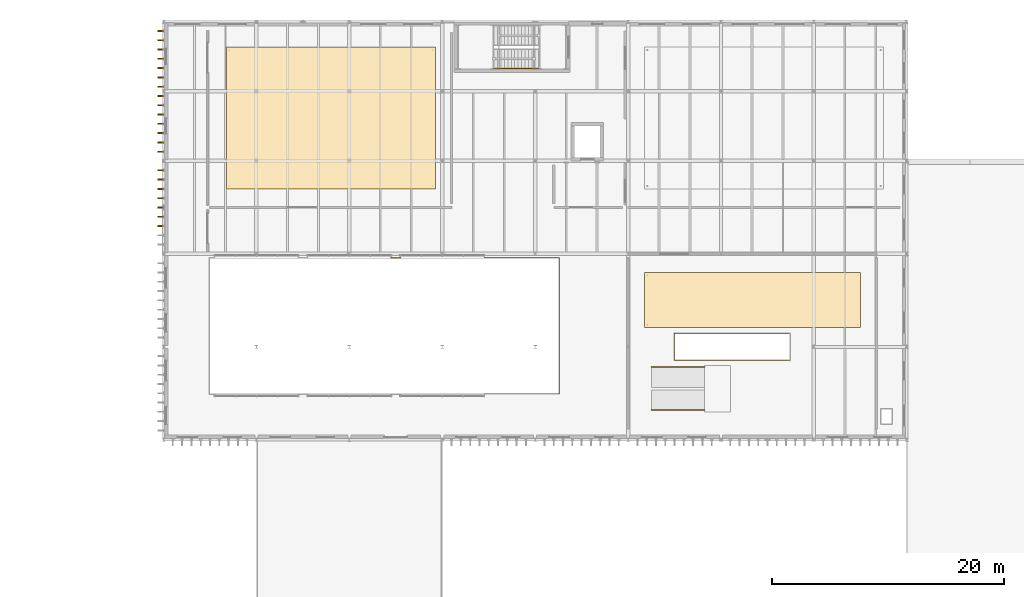
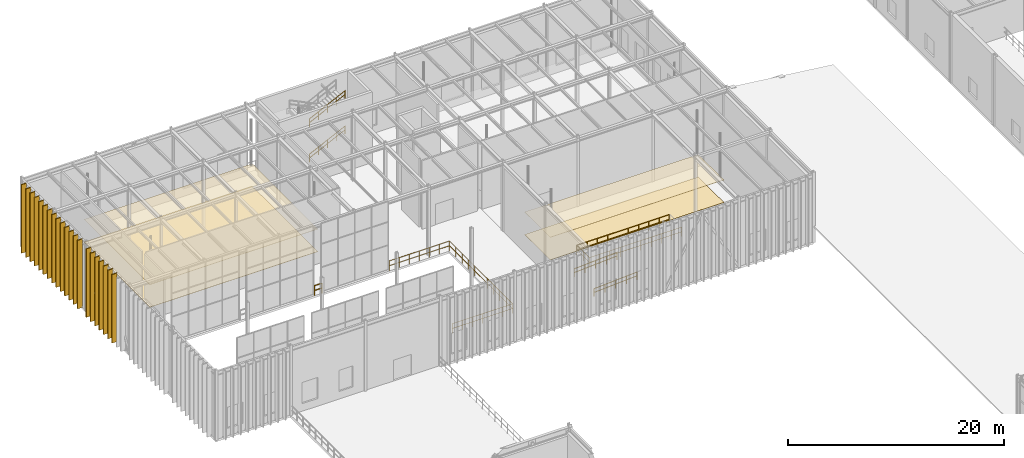
# One storey, part 131 of 138: 25 coverings, 21 shading devices, 7 railings.
"""IFC4 building model written with IfcOpenShell, lengths in metres."""

from ifc_helpers import new_model, si_unit, direction, frame, origin, origin_2d, place, context, subcontext, project, spatial, polyline, rectangle, circle, outline, extrude, material, layer, layer_set, type_object, element, save


model = new_model("IFC4")

# Units and contexts
model_context = context("Model", 3, precision=1e-05, world=origin(), true_north=direction((0.0, 1.0)))
body_context = subcontext(model_context, "Body", "Model", "MODEL_VIEW")
ifc_project = project(units=[si_unit("LENGTHUNIT", "METRE"), si_unit("AREAUNIT", "SQUARE_METRE"), si_unit("VOLUMEUNIT", "CUBIC_METRE"), si_unit("PLANEANGLEUNIT", "RADIAN"), si_unit("MASSUNIT", "GRAM", prefix="KILO")], contexts=[model_context])

# Site, building, storey
site_placement = place(None, origin())
site = spatial("IfcSite", under=ifc_project, at=site_placement, CompositionType="ELEMENT")
building_placement = place(site_placement, origin())
building = spatial("IfcBuilding", under=site, at=building_placement, Name="Sundkrona Museum", CompositionType="ELEMENT")
storey_placement = place(building_placement, frame((0.0, 0.0, 9.60009765625)))
storey = spatial("IfcBuildingStorey", under=building, at=storey_placement, Name="L02", CompositionType="ELEMENT", Elevation=9.60009765625)

# Coverings
ifc_material_1 = material(Name="Perforated Acoustic Gypsum and Mineral Wool Ceiling", Category="other")
ifc_layer_1 = layer(ifc_material_1, 0.0400390625)
ifc_layer_set_1 = layer_set([ifc_layer_1], Name="Perforated Acoustic Gypsum and Mineral Wool Ceiling")
covering_type_1 = type_object("IfcCoveringType", Name="COV-CEIL-AC", PredefinedType="CEILING", material=ifc_layer_set_1)
covering_1_placement = place(storey_placement, frame((0.0, 0.0, 2.5498046875)))
element("IfcCovering", 1, at=covering_1_placement, inside=storey, type_object=covering_type_1, Name="L02 Modernist Sculpture Gallery Acoustic Ceiling", PredefinedType="CEILING", context=body_context, shape_type="SweptSolid", body=[
    extrude(outline(polyline([(21.39990234375, 99.60009765625), (39.39990234375, 99.60009765625), (39.39990234375, 111.800048828125), (21.39990234375, 111.800048828125), (21.39990234375, 99.60009765625)])), origin(), (0.0, 0.0, 1.0), 0.0400390625),
])
covering_2_placement = place(storey_placement, frame((0.0, 0.0, 2.5498046875)))
element("IfcCovering", 2, at=covering_2_placement, inside=storey, type_object=covering_type_1, Name="L02 Temporary Exhibition Hall Acoustic Ceiling", PredefinedType="CEILING", context=body_context, shape_type="SweptSolid", body=[
    extrude(outline(polyline([(57.39990234375, 87.64990234375), (76.0, 87.64990234375), (76.0, 92.39990234375), (57.39990234375, 92.39990234375), (57.39990234375, 87.64990234375)])), origin(), (0.0, 0.0, 1.0), 0.0400390625),
])
ifc_material_2 = material(Name="Frost-Resistant Vitrified Stoneware Mosaic Cladding", Category="masonry")
ifc_layer_2 = layer(ifc_material_2, 0.044921875)
ifc_layer_set_2 = layer_set([ifc_layer_2], Name="Frost-Resistant Vitrified Stoneware Mosaic Cladding")
covering_type_2 = type_object("IfcCoveringType", Name="COV-CLD-MOS", PredefinedType="CLADDING", material=ifc_layer_set_2)
for number, where, z_axis, x_axis, name in (
    (3, (15.7451171875, 96.39990234375, 0.0), (0.0, 0.0, 1.0), (1.0, 0.0, 0.0), "L02 Vitrified Ceramic Brise-Soleil Casing W-197"),
    (4, (15.7451171875, 97.199951171875, 0.0), (0.0, 0.0, 1.0), (1.0, 0.0, 0.0), "L02 Vitrified Ceramic Brise-Soleil Casing W-198"),
    (5, (15.7451171875, 98.0, 0.0), (0.0, 0.0, 1.0), (1.0, 0.0, 0.0), "L02 Vitrified Ceramic Brise-Soleil Casing W-199"),
    (6, (15.7451171875, 98.800048828125, 0.0), (0.0, 0.0, 1.0), (1.0, 0.0, 0.0), "L02 Vitrified Ceramic Brise-Soleil Casing W-200"),
    (7, (15.7451171875, 99.60009765625, 0.0), (0.0, 0.0, 1.0), (1.0, 0.0, 0.0), "L02 Vitrified Ceramic Brise-Soleil Casing W-201"),
    (8, (15.7451171875, 100.39990234375, 0.0), (0.0, 0.0, 1.0), (1.0, 0.0, 0.0), "L02 Vitrified Ceramic Brise-Soleil Casing W-202"),
    (9, (15.7451171875, 101.199951171875, 0.0), (0.0, 0.0, 1.0), (1.0, 0.0, 0.0), "L02 Vitrified Ceramic Brise-Soleil Casing W-203"),
    (10, (15.7451171875, 102.800048828125, 0.0), (0.0, 0.0, 1.0), (1.0, 0.0, 0.0), "L02 Vitrified Ceramic Brise-Soleil Casing W-204"),
    (11, (15.7451171875, 103.60009765625, 0.0), (0.0, 0.0, 1.0), (1.0, 0.0, 0.0), "L02 Vitrified Ceramic Brise-Soleil Casing W-205"),
    (12, (15.7451171875, 104.39990234375, 0.0), (0.0, 0.0, 1.0), (1.0, 0.0, 0.0), "L02 Vitrified Ceramic Brise-Soleil Casing W-206"),
    (13, (15.7451171875, 105.199951171875, 0.0), (0.0, 0.0, 1.0), (1.0, 0.0, 0.0), "L02 Vitrified Ceramic Brise-Soleil Casing W-207"),
    (14, (15.7451171875, 106.0, 0.0), (0.0, 0.0, 1.0), (1.0, 0.0, 0.0), "L02 Vitrified Ceramic Brise-Soleil Casing W-208"),
    (15, (15.7451171875, 106.800048828125, 0.0), (0.0, 0.0, 1.0), (1.0, 0.0, 0.0), "L02 Vitrified Ceramic Brise-Soleil Casing W-209"),
    (16, (15.7451171875, 107.60009765625, 0.0), (0.0, 0.0, 1.0), (1.0, 0.0, 0.0), "L02 Vitrified Ceramic Brise-Soleil Casing W-210"),
    (17, (15.7451171875, 108.39990234375, 0.0), (0.0, 0.0, 1.0), (1.0, 0.0, 0.0), "L02 Vitrified Ceramic Brise-Soleil Casing W-211"),
    (18, (15.7451171875, 109.199951171875, 0.0), (0.0, 0.0, 1.0), (1.0, 0.0, 0.0), "L02 Vitrified Ceramic Brise-Soleil Casing W-212"),
    (19, (15.7451171875, 110.0, 0.0), (0.0, 0.0, 1.0), (1.0, 0.0, 0.0), "L02 Vitrified Ceramic Brise-Soleil Casing W-213"),
    (20, (15.7451171875, 110.800048828125, 0.0), (0.0, 0.0, 1.0), (1.0, 0.0, 0.0), "L02 Vitrified Ceramic Brise-Soleil Casing W-214"),
    (21, (15.7451171875, 111.60009765625, 0.0), (0.0, 0.0, 1.0), (1.0, 0.0, 0.0), "L02 Vitrified Ceramic Brise-Soleil Casing W-215"),
    (22, (15.7451171875, 112.39990234375, 0.0), (0.0, 0.0, 1.0), (1.0, 0.0, 0.0), "L02 Vitrified Ceramic Brise-Soleil Casing W-216"),
    (23, (15.7451171875, 113.199951171875, 0.0), (0.0, 0.0, 1.0), (1.0, 0.0, 0.0), "L02 Vitrified Ceramic Brise-Soleil Casing W-217"),
):
    element("IfcCovering", number, at=place(storey_placement, frame(where, z_axis=z_axis, x_axis=x_axis)), inside=storey, type_object=covering_type_2, Name=name, PredefinedType="CLADDING", context=body_context, shape_type="SweptSolid", body=[
        extrude(rectangle(XDim=0.530029296875, YDim=0.110107421875, at=origin_2d()), origin(), (0.0, 0.0, 1.0), 7.760009765625),
    ])
ifc_material_3 = material(Name="Polished Scanian Limestone Terrazzo Flooring", Category="masonry")
ifc_layer_3 = layer(ifc_material_3, 0.034912109375)
ifc_layer_set_3 = layer_set([ifc_layer_3], Name="Polished Scanian Limestone Terrazzo Flooring")
covering_type_3 = type_object("IfcCoveringType", Name="COV-FLR-TZ", PredefinedType="FLOORING", material=ifc_layer_set_3)
covering_3_placement = place(storey_placement, origin())
element("IfcCovering", 24, at=covering_3_placement, inside=storey, type_object=covering_type_3, Name="L02 Modernist Sculpture Gallery Terrazzo Flooring", PredefinedType="FLOORING", context=body_context, shape_type="SweptSolid", body=[
    extrude(outline(polyline([(21.39990234375, 99.60009765625), (39.39990234375, 99.60009765625), (39.39990234375, 111.800048828125), (21.39990234375, 111.800048828125), (21.39990234375, 99.60009765625)])), origin(), (0.0, 0.0, 1.0), 0.034912109375),
])
covering_4_placement = place(storey_placement, origin())
element("IfcCovering", 25, at=covering_4_placement, inside=storey, type_object=covering_type_3, Name="L02 Temporary Exhibition Hall Terrazzo Flooring", PredefinedType="FLOORING", context=body_context, shape_type="SweptSolid", body=[
    extrude(outline(polyline([(57.39990234375, 87.64990234375), (76.0, 87.64990234375), (76.0, 92.39990234375), (57.39990234375, 92.39990234375), (57.39990234375, 87.64990234375)])), origin(), (0.0, 0.0, 1.0), 0.034912109375),
])

# Shading devices
ifc_material_4 = material(Name="Vitrified Stoneware Ceramic on Galvanised Steel Core", Category="masonry")
ifc_layer_4 = layer(ifc_material_4, 0.080078125)
ifc_layer_set_4 = layer_set([ifc_layer_4], Name="Vitrified Stoneware Ceramic on Galvanised Steel Core")
shading_device_type = type_object("IfcShadingDeviceType", Name="FIN-CER-520", PredefinedType="USERDEFINED", material=ifc_layer_set_4)
for number, where, z_axis, x_axis, name in (
    (26, (15.739990234375, 96.39990234375, 0.0), (0.0, 0.0, 1.0), (1.0, 0.0, 0.0), "L02 Ceramic Brise-Soleil Fin W-197"),
    (27, (15.739990234375, 97.199951171875, 0.0), (0.0, 0.0, 1.0), (1.0, 0.0, 0.0), "L02 Ceramic Brise-Soleil Fin W-198"),
    (28, (15.739990234375, 98.0, 0.0), (0.0, 0.0, 1.0), (1.0, 0.0, 0.0), "L02 Ceramic Brise-Soleil Fin W-199"),
    (29, (15.739990234375, 98.800048828125, 0.0), (0.0, 0.0, 1.0), (1.0, 0.0, 0.0), "L02 Ceramic Brise-Soleil Fin W-200"),
    (30, (15.739990234375, 99.60009765625, 0.0), (0.0, 0.0, 1.0), (1.0, 0.0, 0.0), "L02 Ceramic Brise-Soleil Fin W-201"),
    (31, (15.739990234375, 100.39990234375, 0.0), (0.0, 0.0, 1.0), (1.0, 0.0, 0.0), "L02 Ceramic Brise-Soleil Fin W-202"),
    (32, (15.739990234375, 101.199951171875, 0.0), (0.0, 0.0, 1.0), (1.0, 0.0, 0.0), "L02 Ceramic Brise-Soleil Fin W-203"),
    (33, (15.739990234375, 102.800048828125, 0.0), (0.0, 0.0, 1.0), (1.0, 0.0, 0.0), "L02 Ceramic Brise-Soleil Fin W-204"),
    (34, (15.739990234375, 103.60009765625, 0.0), (0.0, 0.0, 1.0), (1.0, 0.0, 0.0), "L02 Ceramic Brise-Soleil Fin W-205"),
    (35, (15.739990234375, 104.39990234375, 0.0), (0.0, 0.0, 1.0), (1.0, 0.0, 0.0), "L02 Ceramic Brise-Soleil Fin W-206"),
    (36, (15.739990234375, 105.199951171875, 0.0), (0.0, 0.0, 1.0), (1.0, 0.0, 0.0), "L02 Ceramic Brise-Soleil Fin W-207"),
    (37, (15.739990234375, 106.0, 0.0), (0.0, 0.0, 1.0), (1.0, 0.0, 0.0), "L02 Ceramic Brise-Soleil Fin W-208"),
    (38, (15.739990234375, 106.800048828125, 0.0), (0.0, 0.0, 1.0), (1.0, 0.0, 0.0), "L02 Ceramic Brise-Soleil Fin W-209"),
    (39, (15.739990234375, 107.60009765625, 0.0), (0.0, 0.0, 1.0), (1.0, 0.0, 0.0), "L02 Ceramic Brise-Soleil Fin W-210"),
    (40, (15.739990234375, 108.39990234375, 0.0), (0.0, 0.0, 1.0), (1.0, 0.0, 0.0), "L02 Ceramic Brise-Soleil Fin W-211"),
    (41, (15.739990234375, 109.199951171875, 0.0), (0.0, 0.0, 1.0), (1.0, 0.0, 0.0), "L02 Ceramic Brise-Soleil Fin W-212"),
    (42, (15.739990234375, 110.0, 0.0), (0.0, 0.0, 1.0), (1.0, 0.0, 0.0), "L02 Ceramic Brise-Soleil Fin W-213"),
    (43, (15.739990234375, 110.800048828125, 0.0), (0.0, 0.0, 1.0), (1.0, 0.0, 0.0), "L02 Ceramic Brise-Soleil Fin W-214"),
    (44, (15.739990234375, 111.60009765625, 0.0), (0.0, 0.0, 1.0), (1.0, 0.0, 0.0), "L02 Ceramic Brise-Soleil Fin W-215"),
    (45, (15.739990234375, 112.39990234375, 0.0), (0.0, 0.0, 1.0), (1.0, 0.0, 0.0), "L02 Ceramic Brise-Soleil Fin W-216"),
    (46, (15.739990234375, 113.199951171875, 0.0), (0.0, 0.0, 1.0), (1.0, 0.0, 0.0), "L02 Ceramic Brise-Soleil Fin W-217"),
):
    element("IfcShadingDevice", number, at=place(storey_placement, frame(where, z_axis=z_axis, x_axis=x_axis)), inside=storey, type_object=shading_device_type, Name=name, ObjectType="SOLAR FIN", PredefinedType="USERDEFINED", context=body_context, shape_type="SweptSolid", body=[
        extrude(rectangle(XDim=0.52001953125, YDim=0.080078125, at=origin_2d()), origin(), (0.0, 0.0, 1.0), 7.760009765625),
    ])

# Railings
ifc_material_5 = material(Name="Painted Steel S355J2 and Laminated Glass Balustrade", Category="steel")
railing_type_1 = type_object("IfcRailingType", Name="RL-GUARD-1100", PredefinedType="BALUSTRADE", material=ifc_material_5)
railing_1_placement = place(storey_placement, frame((69.8798828125, 84.840087890625, 0.0)))
element("IfcRailing", 47, at=railing_1_placement, inside=storey, type_object=railing_type_1, Name="FS-6 Arrival Floor Well Balustrade", PredefinedType="BALUSTRADE", context=body_context, shape_type="SweptSolid", body=[
    extrude(circle(Radius=0.02392578125, at=origin_2d()), frame((0.0, 0.0, 1.09619140625), z_axis=(-1.0, 0.0, 0.0), x_axis=(0.0, -1.0, 0.0)), (0.0, 0.0, 1.0), 9.919921875),
    extrude(circle(Radius=0.02392578125, at=origin_2d()), frame((0.0, 0.0, 0.56005859375), z_axis=(-1.0, 0.0, 0.0), x_axis=(0.0, -1.0, 0.0)), (0.0, 0.0, 1.0), 9.919921875),
    extrude(circle(Radius=0.02392578125, at=origin_2d()), frame((-9.919921875, 0.0, 1.09619140625), z_axis=(0.0, 1.0, 0.0), x_axis=(-1.0, 0.0, 0.0)), (0.0, 0.0, 1.0), 2.31982421875),
    extrude(circle(Radius=0.02392578125, at=origin_2d()), frame((-9.919921875, 0.0, 0.56005859375), z_axis=(0.0, 1.0, 0.0), x_axis=(-1.0, 0.0, 0.0)), (0.0, 0.0, 1.0), 2.31982421875),
    extrude(circle(Radius=0.02392578125, at=origin_2d()), frame((-9.919921875, 2.31982421875, 1.09619140625), z_axis=(1.0, 0.0, 0.0), x_axis=(0.0, 1.0, 0.0)), (0.0, 0.0, 1.0), 9.919921875),
    extrude(circle(Radius=0.02392578125, at=origin_2d()), frame((-9.919921875, 2.31982421875, 0.56005859375), z_axis=(1.0, 0.0, 0.0), x_axis=(0.0, 1.0, 0.0)), (0.0, 0.0, 1.0), 9.919921875),
    extrude(circle(Radius=0.02099609375, at=origin_2d()), origin(), (0.0, 0.0, 1.0), 1.072021484375),
    extrude(circle(Radius=0.02099609375, at=origin_2d()), frame((-1.102294921875, 0.0, 0.0)), (0.0, 0.0, 1.0), 1.072021484375),
    extrude(circle(Radius=0.02099609375, at=origin_2d()), frame((-2.204345703125, 0.0, 0.0)), (0.0, 0.0, 1.0), 1.072021484375),
    extrude(circle(Radius=0.02099609375, at=origin_2d()), frame((-3.306640625, 0.0, 0.0)), (0.0, 0.0, 1.0), 1.072021484375),
    extrude(circle(Radius=0.02099609375, at=origin_2d()), frame((-4.408935546875, 0.0, 0.0)), (0.0, 0.0, 1.0), 1.072021484375),
    extrude(circle(Radius=0.02099609375, at=origin_2d()), frame((-5.510986328125, 0.0, 0.0)), (0.0, 0.0, 1.0), 1.072021484375),
    extrude(circle(Radius=0.02099609375, at=origin_2d()), frame((-6.61328125, 0.0, 0.0)), (0.0, 0.0, 1.0), 1.072021484375),
    extrude(circle(Radius=0.02099609375, at=origin_2d()), frame((-7.715576171875, 0.0, 0.0)), (0.0, 0.0, 1.0), 1.072021484375),
    extrude(circle(Radius=0.02099609375, at=origin_2d()), frame((-8.817626953125, 0.0, 0.0)), (0.0, 0.0, 1.0), 1.072021484375),
    extrude(circle(Radius=0.02099609375, at=origin_2d()), frame((-9.919921875, 0.0, 0.0)), (0.0, 0.0, 1.0), 1.072021484375),
    extrude(circle(Radius=0.02099609375, at=origin_2d()), frame((-9.919921875, 1.159912109375, 0.0)), (0.0, 0.0, 1.0), 1.072021484375),
    extrude(circle(Radius=0.02099609375, at=origin_2d()), frame((-9.919921875, 2.31982421875, 0.0)), (0.0, 0.0, 1.0), 1.072021484375),
    extrude(circle(Radius=0.02099609375, at=origin_2d()), frame((-8.817626953125, 2.31982421875, 0.0)), (0.0, 0.0, 1.0), 1.072021484375),
    extrude(circle(Radius=0.02099609375, at=origin_2d()), frame((-7.715576171875, 2.31982421875, 0.0)), (0.0, 0.0, 1.0), 1.072021484375),
    extrude(circle(Radius=0.02099609375, at=origin_2d()), frame((-6.61328125, 2.31982421875, 0.0)), (0.0, 0.0, 1.0), 1.072021484375),
    extrude(circle(Radius=0.02099609375, at=origin_2d()), frame((-5.510986328125, 2.31982421875, 0.0)), (0.0, 0.0, 1.0), 1.072021484375),
    extrude(circle(Radius=0.02099609375, at=origin_2d()), frame((-4.408935546875, 2.31982421875, 0.0)), (0.0, 0.0, 1.0), 1.072021484375),
    extrude(circle(Radius=0.02099609375, at=origin_2d()), frame((-3.306640625, 2.31982421875, 0.0)), (0.0, 0.0, 1.0), 1.072021484375),
    extrude(circle(Radius=0.02099609375, at=origin_2d()), frame((-2.204345703125, 2.31982421875, 0.0)), (0.0, 0.0, 1.0), 1.072021484375),
    extrude(circle(Radius=0.02099609375, at=origin_2d()), frame((-1.102294921875, 2.31982421875, 0.0)), (0.0, 0.0, 1.0), 1.072021484375),
    extrude(circle(Radius=0.02099609375, at=origin_2d()), frame((0.0, 2.31982421875, 0.0)), (0.0, 0.0, 1.0), 1.072021484375),
])
railing_2_placement = place(storey_placement, frame((36.39990234375, 93.659912109375, 0.0)))
element("IfcRailing", 48, at=railing_2_placement, inside=storey, type_object=railing_type_1, Name="L02 Edge Protection Balustrade 012", PredefinedType="BALUSTRADE", context=body_context, shape_type="SweptSolid", body=[
    extrude(circle(Radius=0.02392578125, at=origin_2d()), frame((0.0, 0.0, 1.09619140625), z_axis=(-1.0, 0.0, 0.0), x_axis=(0.0, -1.0, 0.0)), (0.0, 0.0, 1.0), 0.7998046875),
    extrude(circle(Radius=0.02392578125, at=origin_2d()), frame((0.0, 0.0, 0.56005859375), z_axis=(-1.0, 0.0, 0.0), x_axis=(0.0, -1.0, 0.0)), (0.0, 0.0, 1.0), 0.7998046875),
    extrude(circle(Radius=0.02099609375, at=origin_2d()), origin(), (0.0, 0.0, 1.0), 1.072021484375),
    extrude(circle(Radius=0.02099609375, at=origin_2d()), frame((-0.7998046875, 0.0, 0.0)), (0.0, 0.0, 1.0), 1.072021484375),
])
railing_3_placement = place(storey_placement, frame((43.60009765625, 81.93994140625, 0.0)))
element("IfcRailing", 49, at=railing_3_placement, inside=storey, type_object=railing_type_1, Name="L02 Edge Protection Balustrade 015", PredefinedType="BALUSTRADE", context=body_context, shape_type="SweptSolid", body=[
    extrude(circle(Radius=0.02392578125, at=origin_2d()), frame((0.0, 0.0, 1.09619140625), z_axis=(1.0, 0.0, 0.0), x_axis=(0.0, 1.0, 0.0)), (0.0, 0.0, 1.0), 6.4599609375),
    extrude(circle(Radius=0.02392578125, at=origin_2d()), frame((0.0, 0.0, 0.56005859375), z_axis=(1.0, 0.0, 0.0), x_axis=(0.0, 1.0, 0.0)), (0.0, 0.0, 1.0), 6.4599609375),
    extrude(circle(Radius=0.02392578125, at=origin_2d()), frame((6.4599609375, 0.0, 1.09619140625), z_axis=(0.0, 1.0, 0.0), x_axis=(-1.0, 0.0, 0.0)), (0.0, 0.0, 1.0), 11.719970703125),
    extrude(circle(Radius=0.02392578125, at=origin_2d()), frame((6.4599609375, 0.0, 0.56005859375), z_axis=(0.0, 1.0, 0.0), x_axis=(-1.0, 0.0, 0.0)), (0.0, 0.0, 1.0), 11.719970703125),
    extrude(circle(Radius=0.02392578125, at=origin_2d()), frame((6.4599609375, 11.719970703125, 1.09619140625), z_axis=(-1.0, 0.0, 0.0), x_axis=(0.0, -1.0, 0.0)), (0.0, 0.0, 1.0), 6.4599609375),
    extrude(circle(Radius=0.02392578125, at=origin_2d()), frame((6.4599609375, 11.719970703125, 0.56005859375), z_axis=(-1.0, 0.0, 0.0), x_axis=(0.0, -1.0, 0.0)), (0.0, 0.0, 1.0), 6.4599609375),
    extrude(circle(Radius=0.02099609375, at=origin_2d()), origin(), (0.0, 0.0, 1.0), 1.072021484375),
    extrude(circle(Radius=0.02099609375, at=origin_2d()), frame((1.07666015625, 0.0, 0.0)), (0.0, 0.0, 1.0), 1.072021484375),
    extrude(circle(Radius=0.02099609375, at=origin_2d()), frame((2.1533203125, 0.0, 0.0)), (0.0, 0.0, 1.0), 1.072021484375),
    extrude(circle(Radius=0.02099609375, at=origin_2d()), frame((3.22998046875, 0.0, 0.0)), (0.0, 0.0, 1.0), 1.072021484375),
    extrude(circle(Radius=0.02099609375, at=origin_2d()), frame((4.306640625, 0.0, 0.0)), (0.0, 0.0, 1.0), 1.072021484375),
    extrude(circle(Radius=0.02099609375, at=origin_2d()), frame((5.38330078125, 0.0, 0.0)), (0.0, 0.0, 1.0), 1.072021484375),
    extrude(circle(Radius=0.02099609375, at=origin_2d()), frame((6.4599609375, 0.0, 0.0)), (0.0, 0.0, 1.0), 1.072021484375),
    extrude(circle(Radius=0.02099609375, at=origin_2d()), frame((6.4599609375, 1.171875, 0.0)), (0.0, 0.0, 1.0), 1.072021484375),
    extrude(circle(Radius=0.02099609375, at=origin_2d()), frame((6.4599609375, 2.343994140625, 0.0)), (0.0, 0.0, 1.0), 1.072021484375),
    extrude(circle(Radius=0.02099609375, at=origin_2d()), frame((6.4599609375, 3.51611328125, 0.0)), (0.0, 0.0, 1.0), 1.072021484375),
    extrude(circle(Radius=0.02099609375, at=origin_2d()), frame((6.4599609375, 4.68798828125, 0.0)), (0.0, 0.0, 1.0), 1.072021484375),
    extrude(circle(Radius=0.02099609375, at=origin_2d()), frame((6.4599609375, 5.85986328125, 0.0)), (0.0, 0.0, 1.0), 1.072021484375),
    extrude(circle(Radius=0.02099609375, at=origin_2d()), frame((6.4599609375, 7.031982421875, 0.0)), (0.0, 0.0, 1.0), 1.072021484375),
    extrude(circle(Radius=0.02099609375, at=origin_2d()), frame((6.4599609375, 8.2041015625, 0.0)), (0.0, 0.0, 1.0), 1.072021484375),
    extrude(circle(Radius=0.02099609375, at=origin_2d()), frame((6.4599609375, 9.3759765625, 0.0)), (0.0, 0.0, 1.0), 1.072021484375),
    extrude(circle(Radius=0.02099609375, at=origin_2d()), frame((6.4599609375, 10.5478515625, 0.0)), (0.0, 0.0, 1.0), 1.072021484375),
    extrude(circle(Radius=0.02099609375, at=origin_2d()), frame((6.4599609375, 11.719970703125, 0.0)), (0.0, 0.0, 1.0), 1.072021484375),
    extrude(circle(Radius=0.02099609375, at=origin_2d()), frame((5.38330078125, 11.719970703125, 0.0)), (0.0, 0.0, 1.0), 1.072021484375),
    extrude(circle(Radius=0.02099609375, at=origin_2d()), frame((4.306640625, 11.719970703125, 0.0)), (0.0, 0.0, 1.0), 1.072021484375),
    extrude(circle(Radius=0.02099609375, at=origin_2d()), frame((3.22998046875, 11.719970703125, 0.0)), (0.0, 0.0, 1.0), 1.072021484375),
    extrude(circle(Radius=0.02099609375, at=origin_2d()), frame((2.1533203125, 11.719970703125, 0.0)), (0.0, 0.0, 1.0), 1.072021484375),
    extrude(circle(Radius=0.02099609375, at=origin_2d()), frame((1.07666015625, 11.719970703125, 0.0)), (0.0, 0.0, 1.0), 1.072021484375),
    extrude(circle(Radius=0.02099609375, at=origin_2d()), frame((0.0, 11.719970703125, 0.0)), (0.0, 0.0, 1.0), 1.072021484375),
])
ifc_material_6 = material(Name="Brushed Bronze-Clad Steel Handrail", Category="steel")
railing_type_2 = type_object("IfcRailingType", Name="RL-HAND-900", PredefinedType="HANDRAIL", material=ifc_material_6)
for number, where, name in (
    (50, (44.465087890625, 109.949951171875, 2.142822265625), "L02 ST-3 stair handrail 2"),
    (51, (44.465087890625, 109.949951171875, 6.142822265625), "L02 ST-3 stair handrail 4"),
):
    element("IfcRailing", number, at=place(storey_placement, frame(where)), inside=storey, type_object=railing_type_2, Name=name, PredefinedType="HANDRAIL", context=body_context, shape_type="SweptSolid", body=[
        extrude(circle(Radius=0.02392578125, at=origin_2d()), frame((0.0, 0.0, 0.8759765625), z_axis=(0.900016444443, 0.0, 0.435855939195), x_axis=(0.0, 1.0, 0.0)), (0.0, 0.0, 1.0), 4.260986328125),
        extrude(circle(Radius=0.02392578125, at=origin_2d()), frame((0.0, 0.0, 0.449951171875), z_axis=(0.900016444443, 0.0, 0.435855939195), x_axis=(0.0, 1.0, 0.0)), (0.0, 0.0, 1.0), 4.260986328125),
        extrude(circle(Radius=0.02099609375, at=origin_2d()), origin(), (0.0, 0.0, 1.0), 0.851806640625),
        extrude(circle(Radius=0.02099609375, at=origin_2d()), frame((0.958740234375, 0.0, 0.46435546875)), (0.0, 0.0, 1.0), 0.851806640625),
        extrude(circle(Radius=0.02099609375, at=origin_2d()), frame((1.91748046875, 0.0, 0.9287109375)), (0.0, 0.0, 1.0), 0.851806640625),
        extrude(circle(Radius=0.02099609375, at=origin_2d()), frame((2.876220703125, 0.0, 1.392822265625)), (0.0, 0.0, 1.0), 0.851806640625),
        extrude(circle(Radius=0.02099609375, at=origin_2d()), frame((3.8349609375, 0.0, 1.857177734375)), (0.0, 0.0, 1.0), 0.851806640625),
    ])
railing_4_placement = place(storey_placement, frame((58.0, 80.550048828125, 0.0)))
element("IfcRailing", 52, at=railing_4_placement, inside=storey, type_object=railing_type_2, Name="RMP-05 Handrail South", PredefinedType="HANDRAIL", context=body_context, shape_type="SweptSolid", body=[
    extrude(circle(Radius=0.02392578125, at=origin_2d()), frame((0.0, 0.0, 0.8759765625), z_axis=(0.998155484319, 0.0, 0.060709382498), x_axis=(0.0, 1.0, 0.0)), (0.0, 0.0, 1.0), 4.608642578125),
    extrude(circle(Radius=0.02392578125, at=origin_2d()), frame((0.0, 0.0, 0.449951171875), z_axis=(0.998155484319, 0.0, 0.060709382498), x_axis=(0.0, 1.0, 0.0)), (0.0, 0.0, 1.0), 4.608642578125),
    extrude(circle(Radius=0.02099609375, at=origin_2d()), origin(), (0.0, 0.0, 1.0), 0.851806640625),
    extrude(circle(Radius=0.02099609375, at=origin_2d()), frame((1.14990234375, 0.0, 0.06982421875)), (0.0, 0.0, 1.0), 0.851806640625),
    extrude(circle(Radius=0.02099609375, at=origin_2d()), frame((2.300048828125, 0.0, 0.139892578125)), (0.0, 0.0, 1.0), 0.851806640625),
    extrude(circle(Radius=0.02099609375, at=origin_2d()), frame((3.4501953125, 0.0, 0.2099609375)), (0.0, 0.0, 1.0), 0.851806640625),
    extrude(circle(Radius=0.02099609375, at=origin_2d()), frame((4.60009765625, 0.0, 0.27978515625)), (0.0, 0.0, 1.0), 0.851806640625),
])
railing_5_placement = place(storey_placement, frame((62.60009765625, 84.25, 0.27978515625)))
element("IfcRailing", 53, at=railing_5_placement, inside=storey, type_object=railing_type_2, Name="RMP-05 Handrail North", PredefinedType="HANDRAIL", context=body_context, shape_type="SweptSolid", body=[
    extrude(circle(Radius=0.02392578125, at=origin_2d()), frame((0.0, 0.0, 0.8759765625), z_axis=(-0.998155484319, 0.0, -0.060709382498), x_axis=(0.0, -1.0, 0.0)), (0.0, 0.0, 1.0), 4.608642578125),
    extrude(circle(Radius=0.02392578125, at=origin_2d()), frame((0.0, 0.0, 0.449951171875), z_axis=(-0.998155484319, 0.0, -0.060709382498), x_axis=(0.0, -1.0, 0.0)), (0.0, 0.0, 1.0), 4.608642578125),
    extrude(circle(Radius=0.02099609375, at=origin_2d()), origin(), (0.0, 0.0, 1.0), 0.851806640625),
    extrude(circle(Radius=0.02099609375, at=origin_2d()), frame((-1.14990234375, 0.0, -0.06982421875)), (0.0, 0.0, 1.0), 0.851806640625),
    extrude(circle(Radius=0.02099609375, at=origin_2d()), frame((-2.300048828125, 0.0, -0.139892578125)), (0.0, 0.0, 1.0), 0.851806640625),
    extrude(circle(Radius=0.02099609375, at=origin_2d()), frame((-3.4501953125, 0.0, -0.2099609375)), (0.0, 0.0, 1.0), 0.851806640625),
    extrude(circle(Radius=0.02099609375, at=origin_2d()), frame((-4.60009765625, 0.0, -0.27978515625)), (0.0, 0.0, 1.0), 0.851806640625),
])

save(model, "model.ifc")
